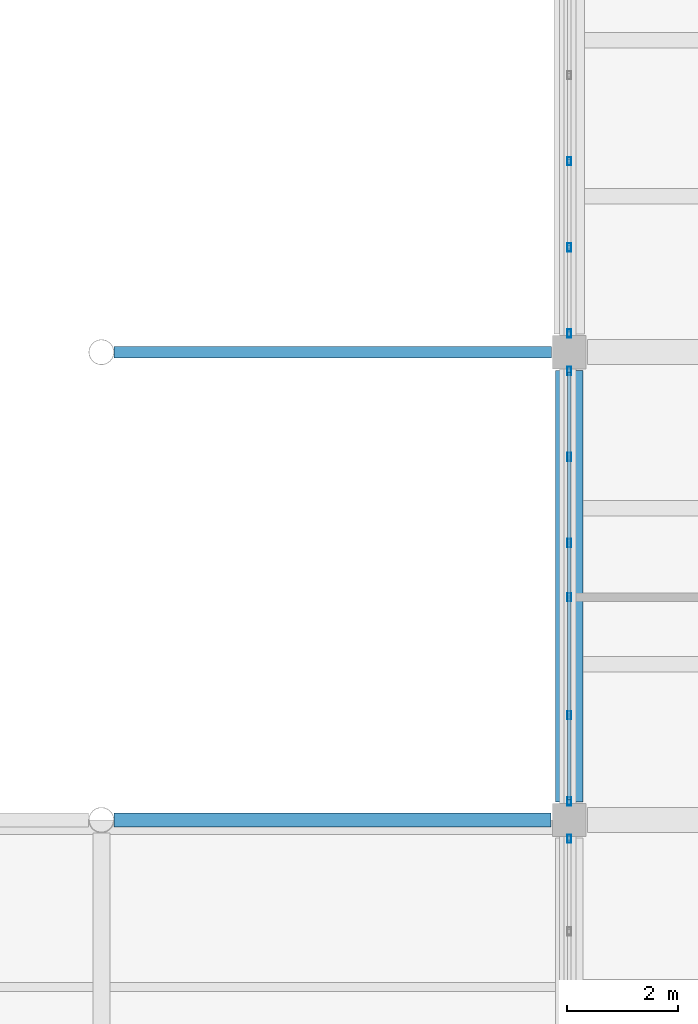
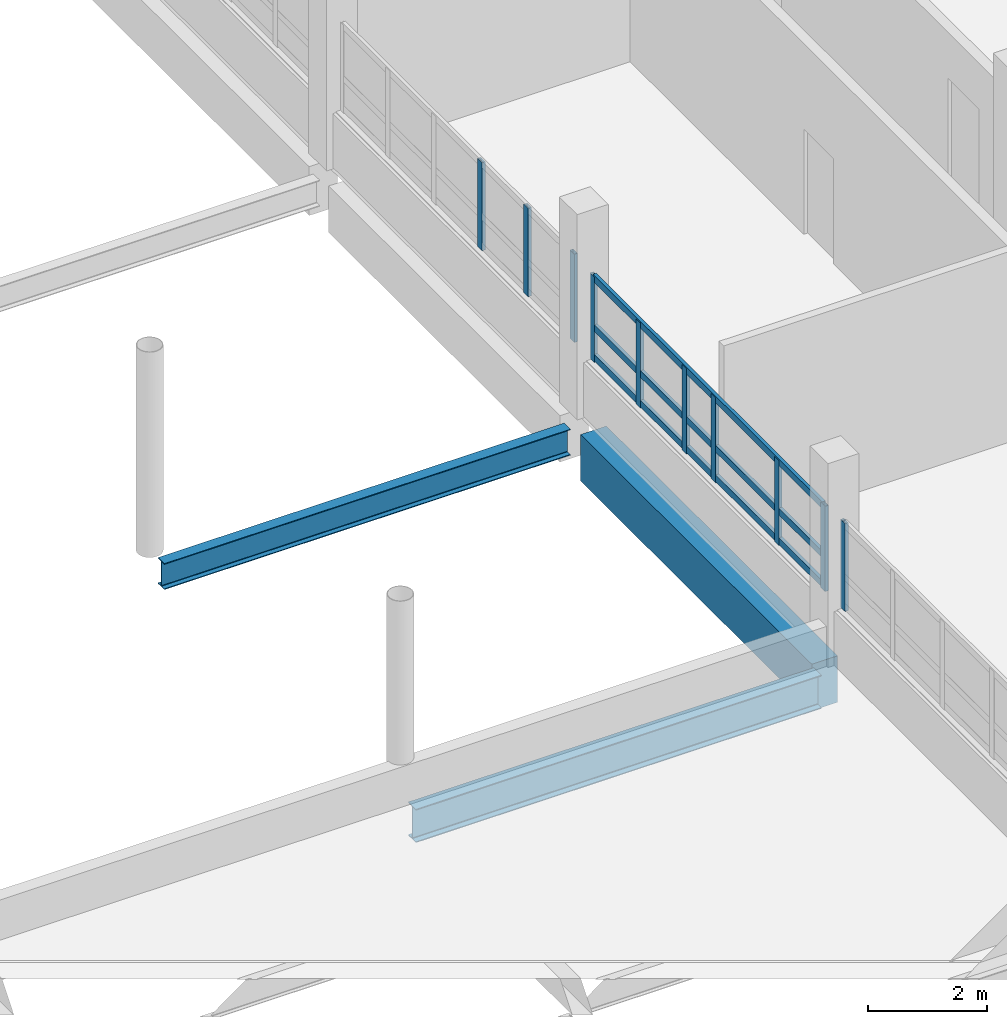
# One storey, part 26 of 130: 13 members, 3 beams, 3 elements without a shape of their own.
"""IFC4 building model written with IfcOpenShell, lengths in metres."""

from ifc_helpers import new_model, si_unit, direction, frame, origin, origin_2d, place, context, subcontext, project, spatial, rectangle, hollow_rectangle, i_section, extrude, material, layer, layer_set, material_profile, profile_set, type_object, element, aggregate, save


model = new_model("IFC4")

# Units and contexts
model_context = context("Model", 3, precision=1e-05, world=origin(), true_north=direction((0.0, 1.0)))
body_context = subcontext(model_context, "Body", "Model", "MODEL_VIEW")
ifc_project = project(units=[si_unit("LENGTHUNIT", "METRE"), si_unit("AREAUNIT", "SQUARE_METRE"), si_unit("VOLUMEUNIT", "CUBIC_METRE"), si_unit("PLANEANGLEUNIT", "RADIAN"), si_unit("MASSUNIT", "GRAM", prefix="KILO")], contexts=[model_context])

# Site, building, storey
site_placement = place(None, origin())
site = spatial("IfcSite", under=ifc_project, at=site_placement, CompositionType="ELEMENT")
building_placement = place(site_placement, origin())
building = spatial("IfcBuilding", under=site, at=building_placement, Name="Vireocrest Preparatory School", CompositionType="ELEMENT")
storey_placement = place(building_placement, frame((0.0, 0.0, 9.0)))
storey = spatial("IfcBuildingStorey", under=building, at=storey_placement, Name="L02", CompositionType="ELEMENT", Elevation=9.0)

# Beam
ifc_material_1 = material(Name="Structural steel ASTM A992 Grade 50", Category="steel")
ifc_material_profile_1 = material_profile(ifc_material_1, i_section(OverallWidth=0.25390625, OverallDepth=0.68408203125, WebThickness=0.012451171875, FlangeThickness=0.018798828125, FilletRadius=0.01806640625, at=origin_2d()), Name="W27X94")
ifc_profile_set_1 = profile_set([ifc_material_profile_1], Name="Structural steel ASTM A992 Grade 50")
beam_type_1 = type_object("IfcBeamType", Name="Bridge Primary Steel Girder W27X94", PredefinedType="BEAM", material=ifc_profile_set_1)
beam_1_placement = place(storey_placement, frame((84.228515625, 27.0, -0.56201171875), z_axis=(1.0, 0.0, 0.0), x_axis=(0.0, 1.0, 0.0)))
element("IfcBeam", 1, at=beam_1_placement, inside=storey, type_object=beam_type_1, Name="Primary Girder SB1 L02-0696", PredefinedType="BEAM", context=body_context, shape_type="SweptSolid", body=[
    extrude(i_section(OverallWidth=0.25390625, OverallDepth=0.68408203125, WebThickness=0.012451171875, FlangeThickness=0.018798828125, FilletRadius=0.01806640625, at=origin_2d()), origin(), (0.0, 0.0, 1.0), 7.846435546875),
])

# Curtain wall, member
ifc_material_2 = material(Name="Thermally broken aluminium EN AW-6063-T6", Category="aluminium")
ifc_layer = layer(ifc_material_2, 0.179931640625)
ifc_layer_set = layer_set([ifc_layer], Name="Thermally broken aluminium EN AW-6063-T6")
curtain_wall_type = type_object("IfcCurtainWallType", Name="Court Banded Curtain Wall 8400x3000", PredefinedType="USERDEFINED", material=ifc_layer_set)
curtain_wall_1_placement = place(storey_placement, origin())
curtain_wall_1 = element("IfcCurtainWall", 2, at=curtain_wall_1_placement, inside=storey, type_object=curtain_wall_type, Name="Curtain Wall CW02 CW_L02_CW02_0924_0183_102", ObjectType="CURTAIN WALL", PredefinedType="USERDEFINED")
ifc_material_profile_2 = material_profile(ifc_material_2, hollow_rectangle(XDim=0.06494140625, YDim=0.14990234375, WallThickness=0.00390625, at=origin_2d()), Name="ALU 65x150x4")
ifc_profile_set_2 = profile_set([ifc_material_profile_2], Name="Thermally broken aluminium EN AW-6063-T6")
member_type_1 = type_object("IfcMemberType", Name="CW Mullion 65x150x4", PredefinedType="MULLION", material=ifc_profile_set_2)
member_1_placement = place(storey_placement, frame((92.39990234375, 26.6650390625, 1.14990234375), z_axis=(0.0, 0.0, 1.0), x_axis=(1.0, 0.0, 0.0)))
member_1 = element("IfcMember", 3, at=member_1_placement, type_object=member_type_1, Name="CW Mullion ML1 CW_L02_CW02_0924_0183_102-6", PredefinedType="MULLION", context=body_context, shape_type="SweptSolid", body=[
    extrude(hollow_rectangle(XDim=0.06494140625, YDim=0.14990234375, WallThickness=0.00390625, at=origin_2d()), origin(), (0.0, 0.0, 1.0), 1.795166015625),
])
aggregate(curtain_wall_1, [member_1])

# Curtain wall, members
curtain_wall_2_placement = place(storey_placement, origin())
curtain_wall_2 = element("IfcCurtainWall", 4, at=curtain_wall_2_placement, inside=storey, type_object=curtain_wall_type, Name="Curtain Wall CW02 CW_L02_CW02_0924_0273_102", ObjectType="CURTAIN WALL", PredefinedType="USERDEFINED")
member_2_placement = place(storey_placement, frame((92.39990234375, 27.3349609375, 1.14990234375), z_axis=(0.0, 0.0, 1.0), x_axis=(1.0, 0.0, 0.0)))
member_2 = element("IfcMember", 5, at=member_2_placement, type_object=member_type_1, Name="CW Mullion ML1 CW_L02_CW02_0924_0273_102-1", PredefinedType="MULLION", context=body_context, shape_type="SweptSolid", body=[
    extrude(hollow_rectangle(XDim=0.06494140625, YDim=0.14990234375, WallThickness=0.00390625, at=origin_2d()), origin(), (0.0, 0.0, 1.0), 1.7451171875),
])
member_3_placement = place(storey_placement, frame((92.39990234375, 28.881103515625, 1.14990234375), z_axis=(0.0, 0.0, 1.0), x_axis=(1.0, 0.0, 0.0)))
member_3 = element("IfcMember", 6, at=member_3_placement, type_object=member_type_1, Name="CW Mullion ML1 CW_L02_CW02_0924_0273_102-2", PredefinedType="MULLION", context=body_context, shape_type="SweptSolid", body=[
    extrude(hollow_rectangle(XDim=0.06494140625, YDim=0.14990234375, WallThickness=0.00390625, at=origin_2d()), origin(), (0.0, 0.0, 1.0), 1.7451171875),
])
member_4_placement = place(storey_placement, frame((92.39990234375, 31.0, 1.14990234375), z_axis=(0.0, 0.0, 1.0), x_axis=(1.0, 0.0, 0.0)))
member_4 = element("IfcMember", 7, at=member_4_placement, type_object=member_type_1, Name="CW Mullion ML1 CW_L02_CW02_0924_0273_102-3", PredefinedType="MULLION", context=body_context, shape_type="SweptSolid", body=[
    extrude(hollow_rectangle(XDim=0.06494140625, YDim=0.14990234375, WallThickness=0.00390625, at=origin_2d()), origin(), (0.0, 0.0, 1.0), 1.7451171875),
])
member_5_placement = place(storey_placement, frame((92.39990234375, 31.972900390625, 1.14990234375), z_axis=(0.0, 0.0, 1.0), x_axis=(1.0, 0.0, 0.0)))
member_5 = element("IfcMember", 8, at=member_5_placement, type_object=member_type_1, Name="CW Mullion ML1 CW_L02_CW02_0924_0273_102-4", PredefinedType="MULLION", context=body_context, shape_type="SweptSolid", body=[
    extrude(hollow_rectangle(XDim=0.06494140625, YDim=0.14990234375, WallThickness=0.00390625, at=origin_2d()), origin(), (0.0, 0.0, 1.0), 1.7451171875),
])
member_6_placement = place(storey_placement, frame((92.39990234375, 33.51904296875, 1.14990234375), z_axis=(0.0, 0.0, 1.0), x_axis=(1.0, 0.0, 0.0)))
member_6 = element("IfcMember", 9, at=member_6_placement, type_object=member_type_1, Name="CW Mullion ML1 CW_L02_CW02_0924_0273_102-5", PredefinedType="MULLION", context=body_context, shape_type="SweptSolid", body=[
    extrude(hollow_rectangle(XDim=0.06494140625, YDim=0.14990234375, WallThickness=0.00390625, at=origin_2d()), origin(), (0.0, 0.0, 1.0), 1.7451171875),
])
member_7_placement = place(storey_placement, frame((92.39990234375, 35.06494140625, 1.14990234375), z_axis=(0.0, 0.0, 1.0), x_axis=(1.0, 0.0, 0.0)))
member_7 = element("IfcMember", 10, at=member_7_placement, type_object=member_type_1, Name="CW Mullion ML1 CW_L02_CW02_0924_0273_102-6", PredefinedType="MULLION", context=body_context, shape_type="SweptSolid", body=[
    extrude(hollow_rectangle(XDim=0.06494140625, YDim=0.14990234375, WallThickness=0.00390625, at=origin_2d()), origin(), (0.0, 0.0, 1.0), 1.7451171875),
])

curtain_wall_3_placement = place(storey_placement, origin())
curtain_wall_3 = element("IfcCurtainWall", 11, at=curtain_wall_3_placement, inside=storey, type_object=curtain_wall_type, Name="Curtain Wall CW02 CW_L02_CW02_0924_0357_102", ObjectType="CURTAIN WALL", PredefinedType="USERDEFINED")
member_8_placement = place(storey_placement, frame((92.39990234375, 35.735107421875, 1.14990234375), z_axis=(0.0, 0.0, 1.0), x_axis=(1.0, 0.0, 0.0)))
member_8 = element("IfcMember", 12, at=member_8_placement, type_object=member_type_1, Name="CW Mullion ML1 CW_L02_CW02_0924_0357_102-1", PredefinedType="MULLION", context=body_context, shape_type="SweptSolid", body=[
    extrude(hollow_rectangle(XDim=0.06494140625, YDim=0.14990234375, WallThickness=0.00390625, at=origin_2d()), origin(), (0.0, 0.0, 1.0), 1.80517578125),
])
member_9_placement = place(storey_placement, frame((92.39990234375, 37.281005859375, 1.14990234375), z_axis=(0.0, 0.0, 1.0), x_axis=(1.0, 0.0, 0.0)))
member_9 = element("IfcMember", 13, at=member_9_placement, type_object=member_type_1, Name="CW Mullion ML1 CW_L02_CW02_0924_0357_102-2", PredefinedType="MULLION", context=body_context, shape_type="SweptSolid", body=[
    extrude(hollow_rectangle(XDim=0.06494140625, YDim=0.14990234375, WallThickness=0.00390625, at=origin_2d()), origin(), (0.0, 0.0, 1.0), 1.80517578125),
])
member_10_placement = place(storey_placement, frame((92.39990234375, 38.826904296875, 1.14990234375), z_axis=(0.0, 0.0, 1.0), x_axis=(1.0, 0.0, 0.0)))
member_10 = element("IfcMember", 14, at=member_10_placement, type_object=member_type_1, Name="CW Mullion ML1 CW_L02_CW02_0924_0357_102-3", PredefinedType="MULLION", context=body_context, shape_type="SweptSolid", body=[
    extrude(hollow_rectangle(XDim=0.06494140625, YDim=0.14990234375, WallThickness=0.00390625, at=origin_2d()), origin(), (0.0, 0.0, 1.0), 1.80517578125),
])
aggregate(curtain_wall_3, [member_8, member_9, member_10])

# Member
ifc_material_profile_3 = material_profile(ifc_material_2, hollow_rectangle(XDim=0.06494140625, YDim=0.139892578125, WallThickness=0.00390625, at=origin_2d()), Name="ALU 65x140x4")
ifc_profile_set_3 = profile_set([ifc_material_profile_3], Name="Thermally broken aluminium EN AW-6063-T6")
member_type_2 = type_object("IfcMemberType", Name="CW Transom 65x140x4", PredefinedType="USERDEFINED", material=ifc_profile_set_3)
member_11_placement = place(storey_placement, frame((92.39990234375, 27.360107421875, 1.2451171875), z_axis=(0.0, 1.0, 0.0), x_axis=(-1.0, 0.0, 0.0)))
member_11 = element("IfcMember", 15, at=member_11_placement, type_object=member_type_2, Name="CW Transom TR1 CW_L02_CW02_0924_0273_102-1", ObjectType="TRANSOM", PredefinedType="USERDEFINED", context=body_context, shape_type="SweptSolid", body=[
    extrude(hollow_rectangle(XDim=0.06494140625, YDim=0.139892578125, WallThickness=0.00390625, at=origin_2d()), origin(), (0.0, 0.0, 1.0), 7.679931640625),
])

member_12_placement = place(storey_placement, frame((92.39990234375, 27.360107421875, 1.85009765625), z_axis=(0.0, 1.0, 0.0), x_axis=(-1.0, 0.0, 0.0)))
member_12 = element("IfcMember", 16, at=member_12_placement, type_object=member_type_2, Name="CW Transom TR1 CW_L02_CW02_0924_0273_102-2", ObjectType="TRANSOM", PredefinedType="USERDEFINED", context=body_context, shape_type="SweptSolid", body=[
    extrude(hollow_rectangle(XDim=0.06494140625, YDim=0.139892578125, WallThickness=0.00390625, at=origin_2d()), origin(), (0.0, 0.0, 1.0), 7.679931640625),
])

member_13_placement = place(storey_placement, frame((92.39990234375, 27.360107421875, 2.85498046875), z_axis=(0.0, 1.0, 0.0), x_axis=(-1.0, 0.0, 0.0)))
member_13 = element("IfcMember", 17, at=member_13_placement, type_object=member_type_2, Name="CW Transom TR1 CW_L02_CW02_0924_0273_102-3", ObjectType="TRANSOM", PredefinedType="USERDEFINED", context=body_context, shape_type="SweptSolid", body=[
    extrude(hollow_rectangle(XDim=0.06494140625, YDim=0.139892578125, WallThickness=0.00390625, at=origin_2d()), origin(), (0.0, 0.0, 1.0), 7.679931640625),
])

aggregate(curtain_wall_2, [member_2, member_3, member_4, member_5, member_6, member_7, member_11, member_12, member_13])

# Beams
ifc_material_profile_4 = material_profile(ifc_material_1, i_section(OverallWidth=0.208984375, OverallDepth=0.532958984375, WebThickness=0.01025390625, FlangeThickness=0.015625, FilletRadius=0.014892578125, at=origin_2d()), Name="W21X62")
ifc_profile_set_4 = profile_set([ifc_material_profile_4], Name="Structural steel ASTM A992 Grade 50")
beam_type_2 = type_object("IfcBeamType", Name="Court Tie Girder W21X62", PredefinedType="BEAM", material=ifc_profile_set_4)
beam_2_placement = place(storey_placement, frame((84.2236328125, 35.39990234375, -0.56640625), z_axis=(1.0, 0.0, 0.0), x_axis=(0.0, 1.0, 0.0)))
element("IfcBeam", 18, at=beam_2_placement, inside=storey, type_object=beam_type_2, Name="Court Trunk Lateral Tie Girder SB5 E2 L02", PredefinedType="BEAM", context=body_context, shape_type="SweptSolid", body=[
    extrude(i_section(OverallWidth=0.208984375, OverallDepth=0.532958984375, WebThickness=0.01025390625, FlangeThickness=0.015625, FilletRadius=0.014892578125, at=origin_2d()), origin(), (0.0, 0.0, 1.0), 7.8564453125),
])
ifc_material_3 = material(Name="Concrete 40 MPa", Category="concrete")
ifc_material_profile_5 = material_profile(ifc_material_3, rectangle(XDim=0.5, YDim=0.949951171875, at=origin_2d()), Name="RC 500x950")
ifc_profile_set_5 = profile_set([ifc_material_profile_5], Name="Concrete 40 MPa")
beam_type_3 = type_object("IfcBeamType", Name="RC Basement Ceiling Girder 500x950", PredefinedType="BEAM", material=ifc_profile_set_5)
beam_3_placement = place(storey_placement, frame((92.39990234375, 27.324951171875, -0.77490234375), z_axis=(0.0, 1.0, 0.0), x_axis=(-1.0, 0.0, 0.0)))
element("IfcBeam", 19, at=beam_3_placement, inside=storey, type_object=beam_type_3, Name="Primary Girder B16 L02-0837", PredefinedType="BEAM", context=body_context, shape_type="SweptSolid", body=[
    extrude(rectangle(XDim=0.5, YDim=0.949951171875, at=origin_2d()), origin(), (0.0, 0.0, 1.0), 7.75),
])

save(model, "model.ifc")
